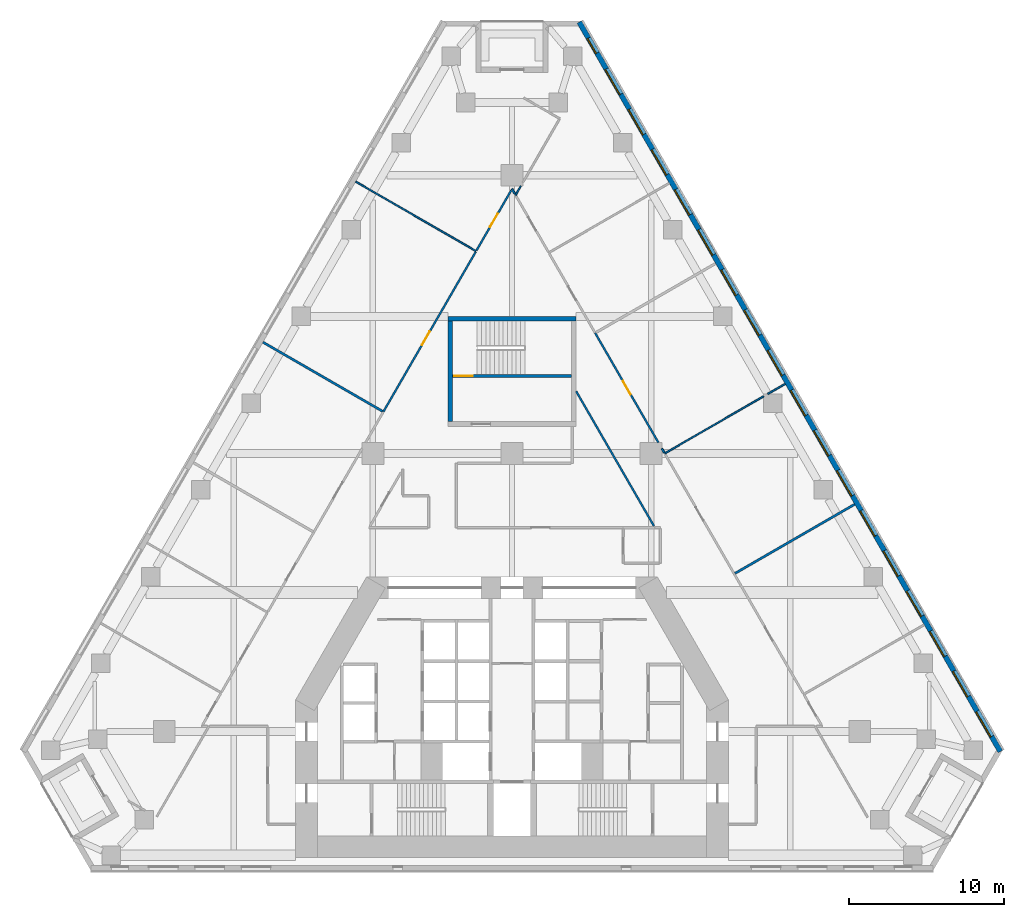
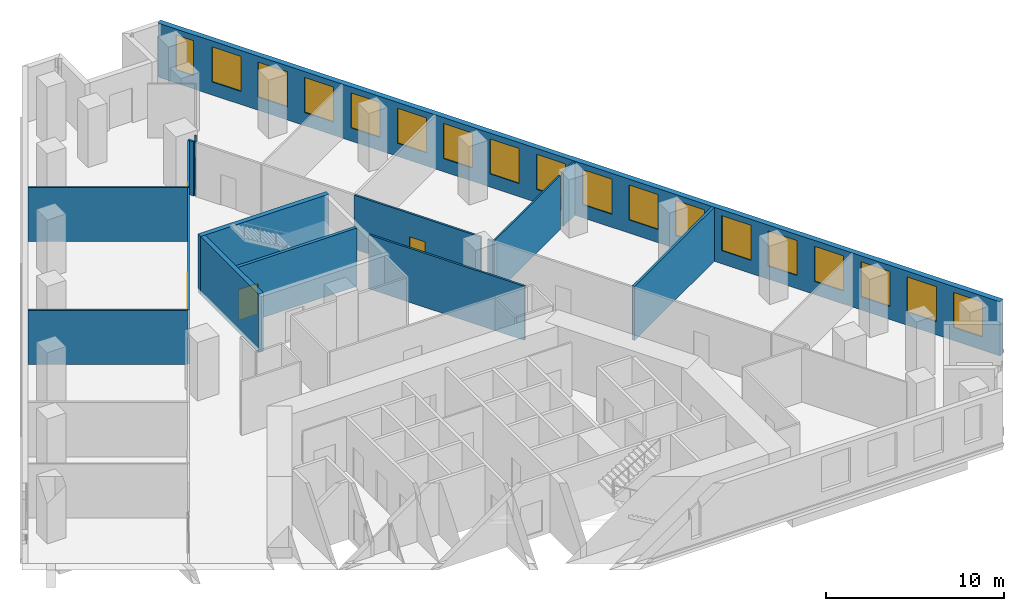
# One storey, part 8 of 11: 18 windows, 16 walls, 4 doors, 22 openings.
"""IFC4 building model written with IfcOpenShell, lengths in metres."""

from ifc_helpers import new_model, si_unit, direction, frame, frame_2d, origin, place, context, subcontext, project, spatial, rectangle, extrude, material, layer, layer_set, type_object, element, fill, save


model = new_model("IFC4")

# Units and contexts
model_context = context("Model", 3, precision=1e-05, world=origin(), true_north=direction((0.0, 1.0)))
body_context = subcontext(model_context, "Body", "Model", "MODEL_VIEW")
ifc_project = project(units=[si_unit("LENGTHUNIT", "METRE"), si_unit("AREAUNIT", "SQUARE_METRE"), si_unit("VOLUMEUNIT", "CUBIC_METRE"), si_unit("PLANEANGLEUNIT", "RADIAN"), si_unit("MASSUNIT", "GRAM", prefix="KILO")], contexts=[model_context])

# Site, building, storey
site_placement = place(None, origin())
site = spatial("IfcSite", under=ifc_project, at=site_placement, CompositionType="ELEMENT")
building_placement = place(site_placement, origin())
building = spatial("IfcBuilding", under=site, at=building_placement, Name="Fogline Exchange Tower", CompositionType="ELEMENT")
storey_placement = place(building_placement, frame((0.0, 0.0, 56.89990234375)))
storey = spatial("IfcBuildingStorey", under=building, at=storey_placement, Name="L11", CompositionType="ELEMENT", Elevation=56.89990234375)

# Wall, opening, door
ifc_material_1 = material(Name="Concrete C40", Category="concrete")
ifc_layer_1 = layer(ifc_material_1, 0.199951171875)
ifc_layer_set_1 = layer_set([ifc_layer_1], Name="CW20R")
wall_type_1 = type_object("IfcWallType", Name="CW20R", PredefinedType="SOLIDWALL", material=ifc_layer_set_1)
wall_1_placement = place(storey_placement, frame((-3.85009765625, 32.007080078125, -0.2998046875), z_axis=(0.0, 0.0, 1.0), x_axis=(1.0, 0.0, 0.0)))
wall_1 = element("IfcWall", 1, at=wall_1_placement, inside=storey, type_object=wall_type_1, Name="Stair enclosure wall ST3", PredefinedType="SOLIDWALL", context=body_context, shape_type="SweptSolid", body=[
    extrude(rectangle(XDim=7.7001953125, YDim=0.199951171875, at=frame_2d((3.85009765625, 0.0))), origin(), (0.0, 0.0, 1.0), 4.0),
])
opening_1_placement = place(wall_1_placement, frame((0.10009765625, 0.0, 0.300048828125)))
opening_1 = element("IfcOpeningElement", 2, at=opening_1_placement, cuts=wall_1, Name="Opening T03-C024", PredefinedType="OPENING", context=body_context, shape_type="SweptSolid", body=[
    extrude(rectangle(XDim=1.199951171875, YDim=2.10009765625, at=frame_2d((0.60009765625, 1.050048828125))), frame((0.0, 0.10986328125, 0.0), z_axis=(0.0, -1.0, 0.0), x_axis=(1.0, 0.0, 0.0)), (0.0, 0.0, 1.0), 0.219970703125),
])
ifc_material_2 = material(Name="Steel and timber fire door", Category="steel")
door_type_1 = type_object("IfcDoorType", Name="D-ST1", OperationType="SINGLE_SWING_LEFT", PredefinedType="DOOR", material=ifc_material_2)
door_1_placement = place(opening_1_placement, origin())
door_1 = element("IfcDoor", 3, at=door_1_placement, inside=storey, type_object=door_type_1, Name="Stair door ST3", OperationType="SINGLE_SWING_LEFT", OverallHeight=2.10009765625, OverallWidth=1.199951171875, PredefinedType="DOOR", context=body_context, shape_type="SweptSolid", body=[
    extrude(rectangle(XDim=1.199951171875, YDim=2.10009765625, at=frame_2d((0.60009765625, 1.050048828125))), frame((0.0, 0.02490234375, 0.0), z_axis=(0.0, -1.0, 0.0), x_axis=(1.0, 0.0, 0.0)), (0.0, 0.0, 1.0), 0.050048828125),
])
fill(opening_1, door_1)

# Walls
ifc_layer_2 = layer(ifc_material_1, 0.300048828125)
ifc_layer_set_2 = layer_set([ifc_layer_2], Name="CW30")
wall_type_2 = type_object("IfcWallType", Name="CW30", PredefinedType="SOLIDWALL", material=ifc_layer_set_2)
wall_2_placement = place(storey_placement, frame((-4.14990234375, 35.70703125, -0.2998046875), z_axis=(0.0, 0.0, 1.0), x_axis=(1.0, 0.0, 0.0)))
element("IfcWall", 4, at=wall_2_placement, inside=storey, type_object=wall_type_2, Name="Stair enclosure wall ST3", PredefinedType="SOLIDWALL", context=body_context, shape_type="SweptSolid", body=[
    extrude(rectangle(XDim=8.2998046875, YDim=0.300048828125, at=frame_2d((4.14990234375, 0.0))), origin(), (0.0, 0.0, 1.0), 4.0),
])
wall_3_placement = place(storey_placement, frame((-4.0, 29.056884765625, -0.2998046875), z_axis=(0.0, 0.0, 1.0), x_axis=(0.0, 1.0, 0.0)))
element("IfcWall", 5, at=wall_3_placement, inside=storey, type_object=wall_type_2, Name="Stair enclosure wall ST3", PredefinedType="SOLIDWALL", context=body_context, shape_type="SweptSolid", body=[
    extrude(rectangle(XDim=6.5, YDim=0.300048828125, at=frame_2d((3.25, 0.0))), origin(), (0.0, 0.0, 1.0), 4.0),
])

# Wall, openings, windows
ifc_material_3 = material(Name="Brick masonry", Category="masonry")
ifc_layer_3 = layer(ifc_material_3, 0.340087890625)
ifc_layer_set_3 = layer_set([ifc_layer_3], Name="FW1")
wall_type_3 = type_object("IfcWallType", Name="FW1", PredefinedType="SOLIDWALL", material=ifc_layer_set_3)
wall_4_placement = place(storey_placement, frame((31.60791015625, 7.709228515625, 0.0), z_axis=(0.0, 0.0, 1.0), x_axis=(-0.499997975305, 0.86602657274, 0.0)))
wall_4 = element("IfcWall", 6, at=wall_4_placement, inside=storey, type_object=wall_type_3, Name="Brick wall L11 E", PredefinedType="SOLIDWALL", context=body_context, shape_type="SweptSolid", body=[
    extrude(rectangle(XDim=54.510498046875, YDim=0.340087890625, at=frame_2d((27.25537109375, 0.0))), origin(), (0.0, 0.0, 1.0), 3.7001953125),
])
opening_2_placement = place(wall_4_placement, frame((1.127685546875, 0.0, 0.89990234375)))
opening_2 = element("IfcOpeningElement", 7, at=opening_2_placement, cuts=wall_4, Name="Opening W1", PredefinedType="OPENING", context=body_context, shape_type="SweptSolid", body=[
    extrude(rectangle(XDim=1.885009765625, YDim=2.39990234375, at=frame_2d((0.9423828125, 1.199951171875))), frame((0.0, 0.18017578125, 0.0), z_axis=(0.0, -1.0, 0.0), x_axis=(1.0, 0.0, 0.0)), (0.0, 0.0, 1.0), 0.360107421875),
])
opening_3_placement = place(wall_4_placement, frame((4.127685546875, 0.0, 0.89990234375)))
opening_3 = element("IfcOpeningElement", 8, at=opening_3_placement, cuts=wall_4, Name="Opening W1", PredefinedType="OPENING", context=body_context, shape_type="SweptSolid", body=[
    extrude(rectangle(XDim=1.885009765625, YDim=2.39990234375, at=frame_2d((0.9423828125, 1.199951171875))), frame((0.0, 0.18017578125, 0.0), z_axis=(0.0, -1.0, 0.0), x_axis=(1.0, 0.0, 0.0)), (0.0, 0.0, 1.0), 0.360107421875),
])
opening_4_placement = place(wall_4_placement, frame((7.127685546875, 0.0, 0.89990234375)))
opening_4 = element("IfcOpeningElement", 9, at=opening_4_placement, cuts=wall_4, Name="Opening W1", PredefinedType="OPENING", context=body_context, shape_type="SweptSolid", body=[
    extrude(rectangle(XDim=1.885009765625, YDim=2.39990234375, at=frame_2d((0.9423828125, 1.199951171875))), frame((0.0, 0.18017578125, 0.0), z_axis=(0.0, -1.0, 0.0), x_axis=(1.0, 0.0, 0.0)), (0.0, 0.0, 1.0), 0.360107421875),
])
opening_5_placement = place(wall_4_placement, frame((10.127685546875, 0.0, 0.89990234375)))
opening_5 = element("IfcOpeningElement", 10, at=opening_5_placement, cuts=wall_4, Name="Opening W1", PredefinedType="OPENING", context=body_context, shape_type="SweptSolid", body=[
    extrude(rectangle(XDim=1.885009765625, YDim=2.39990234375, at=frame_2d((0.9423828125, 1.199951171875))), frame((0.0, 0.18017578125, 0.0), z_axis=(0.0, -1.0, 0.0), x_axis=(1.0, 0.0, 0.0)), (0.0, 0.0, 1.0), 0.360107421875),
])
opening_6_placement = place(wall_4_placement, frame((13.127685546875, 0.0, 0.89990234375)))
opening_6 = element("IfcOpeningElement", 11, at=opening_6_placement, cuts=wall_4, Name="Opening W1", PredefinedType="OPENING", context=body_context, shape_type="SweptSolid", body=[
    extrude(rectangle(XDim=1.885009765625, YDim=2.39990234375, at=frame_2d((0.9423828125, 1.199951171875))), frame((0.0, 0.18017578125, 0.0), z_axis=(0.0, -1.0, 0.0), x_axis=(1.0, 0.0, 0.0)), (0.0, 0.0, 1.0), 0.360107421875),
])
opening_7_placement = place(wall_4_placement, frame((16.127685546875, 0.0, 0.89990234375)))
opening_7 = element("IfcOpeningElement", 12, at=opening_7_placement, cuts=wall_4, Name="Opening W1", PredefinedType="OPENING", context=body_context, shape_type="SweptSolid", body=[
    extrude(rectangle(XDim=1.885009765625, YDim=2.39990234375, at=frame_2d((0.9423828125, 1.199951171875))), frame((0.0, 0.18017578125, 0.0), z_axis=(0.0, -1.0, 0.0), x_axis=(1.0, 0.0, 0.0)), (0.0, 0.0, 1.0), 0.360107421875),
])
opening_8_placement = place(wall_4_placement, frame((19.127685546875, 0.0, 0.89990234375)))
opening_8 = element("IfcOpeningElement", 13, at=opening_8_placement, cuts=wall_4, Name="Opening W1", PredefinedType="OPENING", context=body_context, shape_type="SweptSolid", body=[
    extrude(rectangle(XDim=1.885009765625, YDim=2.39990234375, at=frame_2d((0.9423828125, 1.199951171875))), frame((0.0, 0.18017578125, 0.0), z_axis=(0.0, -1.0, 0.0), x_axis=(1.0, 0.0, 0.0)), (0.0, 0.0, 1.0), 0.360107421875),
])
opening_9_placement = place(wall_4_placement, frame((22.127685546875, 0.0, 0.89990234375)))
opening_9 = element("IfcOpeningElement", 14, at=opening_9_placement, cuts=wall_4, Name="Opening W1", PredefinedType="OPENING", context=body_context, shape_type="SweptSolid", body=[
    extrude(rectangle(XDim=1.885009765625, YDim=2.39990234375, at=frame_2d((0.9423828125, 1.199951171875))), frame((0.0, 0.18017578125, 0.0), z_axis=(0.0, -1.0, 0.0), x_axis=(1.0, 0.0, 0.0)), (0.0, 0.0, 1.0), 0.360107421875),
])
opening_10_placement = place(wall_4_placement, frame((25.127685546875, 0.0, 0.89990234375)))
opening_10 = element("IfcOpeningElement", 15, at=opening_10_placement, cuts=wall_4, Name="Opening W1", PredefinedType="OPENING", context=body_context, shape_type="SweptSolid", body=[
    extrude(rectangle(XDim=1.885009765625, YDim=2.39990234375, at=frame_2d((0.9423828125, 1.199951171875))), frame((0.0, 0.18017578125, 0.0), z_axis=(0.0, -1.0, 0.0), x_axis=(1.0, 0.0, 0.0)), (0.0, 0.0, 1.0), 0.360107421875),
])
opening_11_placement = place(wall_4_placement, frame((28.127685546875, 0.0, 0.89990234375)))
opening_11 = element("IfcOpeningElement", 16, at=opening_11_placement, cuts=wall_4, Name="Opening W1", PredefinedType="OPENING", context=body_context, shape_type="SweptSolid", body=[
    extrude(rectangle(XDim=1.885009765625, YDim=2.39990234375, at=frame_2d((0.9423828125, 1.199951171875))), frame((0.0, 0.18017578125, 0.0), z_axis=(0.0, -1.0, 0.0), x_axis=(1.0, 0.0, 0.0)), (0.0, 0.0, 1.0), 0.360107421875),
])
opening_12_placement = place(wall_4_placement, frame((31.127685546875, 0.0, 0.89990234375)))
opening_12 = element("IfcOpeningElement", 17, at=opening_12_placement, cuts=wall_4, Name="Opening W1", PredefinedType="OPENING", context=body_context, shape_type="SweptSolid", body=[
    extrude(rectangle(XDim=1.885009765625, YDim=2.39990234375, at=frame_2d((0.9423828125, 1.199951171875))), frame((0.0, 0.18017578125, 0.0), z_axis=(0.0, -1.0, 0.0), x_axis=(1.0, 0.0, 0.0)), (0.0, 0.0, 1.0), 0.360107421875),
])
opening_13_placement = place(wall_4_placement, frame((34.127685546875, 0.0, 0.89990234375)))
opening_13 = element("IfcOpeningElement", 18, at=opening_13_placement, cuts=wall_4, Name="Opening W1", PredefinedType="OPENING", context=body_context, shape_type="SweptSolid", body=[
    extrude(rectangle(XDim=1.885009765625, YDim=2.39990234375, at=frame_2d((0.9423828125, 1.199951171875))), frame((0.0, 0.18017578125, 0.0), z_axis=(0.0, -1.0, 0.0), x_axis=(1.0, 0.0, 0.0)), (0.0, 0.0, 1.0), 0.360107421875),
])
opening_14_placement = place(wall_4_placement, frame((37.127685546875, 0.0, 0.89990234375)))
opening_14 = element("IfcOpeningElement", 19, at=opening_14_placement, cuts=wall_4, Name="Opening W1", PredefinedType="OPENING", context=body_context, shape_type="SweptSolid", body=[
    extrude(rectangle(XDim=1.885009765625, YDim=2.39990234375, at=frame_2d((0.9423828125, 1.199951171875))), frame((0.0, 0.18017578125, 0.0), z_axis=(0.0, -1.0, 0.0), x_axis=(1.0, 0.0, 0.0)), (0.0, 0.0, 1.0), 0.360107421875),
])
opening_15_placement = place(wall_4_placement, frame((40.127685546875, 0.0, 0.89990234375)))
opening_15 = element("IfcOpeningElement", 20, at=opening_15_placement, cuts=wall_4, Name="Opening W1", PredefinedType="OPENING", context=body_context, shape_type="SweptSolid", body=[
    extrude(rectangle(XDim=1.885009765625, YDim=2.39990234375, at=frame_2d((0.9423828125, 1.199951171875))), frame((0.0, 0.18017578125, 0.0), z_axis=(0.0, -1.0, 0.0), x_axis=(1.0, 0.0, 0.0)), (0.0, 0.0, 1.0), 0.360107421875),
])
opening_16_placement = place(wall_4_placement, frame((43.127685546875, 0.0, 0.89990234375)))
opening_16 = element("IfcOpeningElement", 21, at=opening_16_placement, cuts=wall_4, Name="Opening W1", PredefinedType="OPENING", context=body_context, shape_type="SweptSolid", body=[
    extrude(rectangle(XDim=1.885009765625, YDim=2.39990234375, at=frame_2d((0.9423828125, 1.199951171875))), frame((0.0, 0.18017578125, 0.0), z_axis=(0.0, -1.0, 0.0), x_axis=(1.0, 0.0, 0.0)), (0.0, 0.0, 1.0), 0.360107421875),
])
opening_17_placement = place(wall_4_placement, frame((46.127685546875, 0.0, 0.89990234375)))
opening_17 = element("IfcOpeningElement", 22, at=opening_17_placement, cuts=wall_4, Name="Opening W1", PredefinedType="OPENING", context=body_context, shape_type="SweptSolid", body=[
    extrude(rectangle(XDim=1.885009765625, YDim=2.39990234375, at=frame_2d((0.9423828125, 1.199951171875))), frame((0.0, 0.18017578125, 0.0), z_axis=(0.0, -1.0, 0.0), x_axis=(1.0, 0.0, 0.0)), (0.0, 0.0, 1.0), 0.360107421875),
])
opening_18_placement = place(wall_4_placement, frame((49.127685546875, 0.0, 0.89990234375)))
opening_18 = element("IfcOpeningElement", 23, at=opening_18_placement, cuts=wall_4, Name="Opening W1", PredefinedType="OPENING", context=body_context, shape_type="SweptSolid", body=[
    extrude(rectangle(XDim=1.885009765625, YDim=2.39990234375, at=frame_2d((0.9423828125, 1.199951171875))), frame((0.0, 0.18017578125, 0.0), z_axis=(0.0, -1.0, 0.0), x_axis=(1.0, 0.0, 0.0)), (0.0, 0.0, 1.0), 0.360107421875),
])
opening_19_placement = place(wall_4_placement, frame((52.2041015625, 0.0, 0.89990234375)))
opening_19 = element("IfcOpeningElement", 24, at=opening_19_placement, cuts=wall_4, Name="Opening W4", PredefinedType="OPENING", context=body_context, shape_type="SweptSolid", body=[
    extrude(rectangle(XDim=1.114990234375, YDim=2.39990234375, at=frame_2d((0.5576171875, 1.199951171875))), frame((0.0, 0.18017578125, 0.0), z_axis=(0.0, -1.0, 0.0), x_axis=(1.0, 0.0, 0.0)), (0.0, 0.0, 1.0), 0.360107421875),
])
ifc_material_4 = material(Name="Aluminium and glass", Category="aluminium")
window_type_1 = type_object("IfcWindowType", Name="W1", PartitioningType="SINGLE_PANEL", PredefinedType="WINDOW", material=ifc_material_4)
window_1_placement = place(opening_2_placement, origin())
window_1 = element("IfcWindow", 25, at=window_1_placement, inside=storey, type_object=window_type_1, Name="W1 W1", OverallHeight=2.39990234375, OverallWidth=1.885009765625, PartitioningType="SINGLE_PANEL", PredefinedType="WINDOW", context=body_context, shape_type="SweptSolid", body=[
    extrude(rectangle(XDim=1.885009765625, YDim=2.39990234375, at=frame_2d((0.9423828125, 1.199951171875))), frame((0.0, 0.110107421875, 0.0), z_axis=(0.0, -1.0, 0.0), x_axis=(1.0, 0.0, 0.0)), (0.0, 0.0, 1.0), 0.06005859375),
])
fill(opening_2, window_1)
window_2_placement = place(opening_3_placement, origin())
window_2 = element("IfcWindow", 26, at=window_2_placement, inside=storey, type_object=window_type_1, Name="W1 W1", OverallHeight=2.39990234375, OverallWidth=1.885009765625, PartitioningType="SINGLE_PANEL", PredefinedType="WINDOW", context=body_context, shape_type="SweptSolid", body=[
    extrude(rectangle(XDim=1.885009765625, YDim=2.39990234375, at=frame_2d((0.9423828125, 1.199951171875))), frame((0.0, 0.110107421875, 0.0), z_axis=(0.0, -1.0, 0.0), x_axis=(1.0, 0.0, 0.0)), (0.0, 0.0, 1.0), 0.06005859375),
])
fill(opening_3, window_2)
window_3_placement = place(opening_4_placement, origin())
window_3 = element("IfcWindow", 27, at=window_3_placement, inside=storey, type_object=window_type_1, Name="W1 W1", OverallHeight=2.39990234375, OverallWidth=1.885009765625, PartitioningType="SINGLE_PANEL", PredefinedType="WINDOW", context=body_context, shape_type="SweptSolid", body=[
    extrude(rectangle(XDim=1.885009765625, YDim=2.39990234375, at=frame_2d((0.9423828125, 1.199951171875))), frame((0.0, 0.110107421875, 0.0), z_axis=(0.0, -1.0, 0.0), x_axis=(1.0, 0.0, 0.0)), (0.0, 0.0, 1.0), 0.06005859375),
])
fill(opening_4, window_3)
window_4_placement = place(opening_5_placement, origin())
window_4 = element("IfcWindow", 28, at=window_4_placement, inside=storey, type_object=window_type_1, Name="W1 W1", OverallHeight=2.39990234375, OverallWidth=1.885009765625, PartitioningType="SINGLE_PANEL", PredefinedType="WINDOW", context=body_context, shape_type="SweptSolid", body=[
    extrude(rectangle(XDim=1.885009765625, YDim=2.39990234375, at=frame_2d((0.9423828125, 1.199951171875))), frame((0.0, 0.110107421875, 0.0), z_axis=(0.0, -1.0, 0.0), x_axis=(1.0, 0.0, 0.0)), (0.0, 0.0, 1.0), 0.06005859375),
])
fill(opening_5, window_4)
window_5_placement = place(opening_6_placement, origin())
window_5 = element("IfcWindow", 29, at=window_5_placement, inside=storey, type_object=window_type_1, Name="W1 W1", OverallHeight=2.39990234375, OverallWidth=1.885009765625, PartitioningType="SINGLE_PANEL", PredefinedType="WINDOW", context=body_context, shape_type="SweptSolid", body=[
    extrude(rectangle(XDim=1.885009765625, YDim=2.39990234375, at=frame_2d((0.9423828125, 1.199951171875))), frame((0.0, 0.110107421875, 0.0), z_axis=(0.0, -1.0, 0.0), x_axis=(1.0, 0.0, 0.0)), (0.0, 0.0, 1.0), 0.06005859375),
])
fill(opening_6, window_5)
window_6_placement = place(opening_7_placement, origin())
window_6 = element("IfcWindow", 30, at=window_6_placement, inside=storey, type_object=window_type_1, Name="W1 W1", OverallHeight=2.39990234375, OverallWidth=1.885009765625, PartitioningType="SINGLE_PANEL", PredefinedType="WINDOW", context=body_context, shape_type="SweptSolid", body=[
    extrude(rectangle(XDim=1.885009765625, YDim=2.39990234375, at=frame_2d((0.9423828125, 1.199951171875))), frame((0.0, 0.110107421875, 0.0), z_axis=(0.0, -1.0, 0.0), x_axis=(1.0, 0.0, 0.0)), (0.0, 0.0, 1.0), 0.06005859375),
])
fill(opening_7, window_6)
window_7_placement = place(opening_8_placement, origin())
window_7 = element("IfcWindow", 31, at=window_7_placement, inside=storey, type_object=window_type_1, Name="W1 W1", OverallHeight=2.39990234375, OverallWidth=1.885009765625, PartitioningType="SINGLE_PANEL", PredefinedType="WINDOW", context=body_context, shape_type="SweptSolid", body=[
    extrude(rectangle(XDim=1.885009765625, YDim=2.39990234375, at=frame_2d((0.9423828125, 1.199951171875))), frame((0.0, 0.110107421875, 0.0), z_axis=(0.0, -1.0, 0.0), x_axis=(1.0, 0.0, 0.0)), (0.0, 0.0, 1.0), 0.06005859375),
])
fill(opening_8, window_7)
window_8_placement = place(opening_9_placement, origin())
window_8 = element("IfcWindow", 32, at=window_8_placement, inside=storey, type_object=window_type_1, Name="W1 W1", OverallHeight=2.39990234375, OverallWidth=1.885009765625, PartitioningType="SINGLE_PANEL", PredefinedType="WINDOW", context=body_context, shape_type="SweptSolid", body=[
    extrude(rectangle(XDim=1.885009765625, YDim=2.39990234375, at=frame_2d((0.9423828125, 1.199951171875))), frame((0.0, 0.110107421875, 0.0), z_axis=(0.0, -1.0, 0.0), x_axis=(1.0, 0.0, 0.0)), (0.0, 0.0, 1.0), 0.06005859375),
])
fill(opening_9, window_8)
window_9_placement = place(opening_10_placement, origin())
window_9 = element("IfcWindow", 33, at=window_9_placement, inside=storey, type_object=window_type_1, Name="W1 W1", OverallHeight=2.39990234375, OverallWidth=1.885009765625, PartitioningType="SINGLE_PANEL", PredefinedType="WINDOW", context=body_context, shape_type="SweptSolid", body=[
    extrude(rectangle(XDim=1.885009765625, YDim=2.39990234375, at=frame_2d((0.9423828125, 1.199951171875))), frame((0.0, 0.110107421875, 0.0), z_axis=(0.0, -1.0, 0.0), x_axis=(1.0, 0.0, 0.0)), (0.0, 0.0, 1.0), 0.06005859375),
])
fill(opening_10, window_9)
window_10_placement = place(opening_11_placement, origin())
window_10 = element("IfcWindow", 34, at=window_10_placement, inside=storey, type_object=window_type_1, Name="W1 W1", OverallHeight=2.39990234375, OverallWidth=1.885009765625, PartitioningType="SINGLE_PANEL", PredefinedType="WINDOW", context=body_context, shape_type="SweptSolid", body=[
    extrude(rectangle(XDim=1.885009765625, YDim=2.39990234375, at=frame_2d((0.9423828125, 1.199951171875))), frame((0.0, 0.110107421875, 0.0), z_axis=(0.0, -1.0, 0.0), x_axis=(1.0, 0.0, 0.0)), (0.0, 0.0, 1.0), 0.06005859375),
])
fill(opening_11, window_10)
window_11_placement = place(opening_12_placement, origin())
window_11 = element("IfcWindow", 35, at=window_11_placement, inside=storey, type_object=window_type_1, Name="W1 W1", OverallHeight=2.39990234375, OverallWidth=1.885009765625, PartitioningType="SINGLE_PANEL", PredefinedType="WINDOW", context=body_context, shape_type="SweptSolid", body=[
    extrude(rectangle(XDim=1.885009765625, YDim=2.39990234375, at=frame_2d((0.9423828125, 1.199951171875))), frame((0.0, 0.110107421875, 0.0), z_axis=(0.0, -1.0, 0.0), x_axis=(1.0, 0.0, 0.0)), (0.0, 0.0, 1.0), 0.06005859375),
])
fill(opening_12, window_11)
window_12_placement = place(opening_13_placement, origin())
window_12 = element("IfcWindow", 36, at=window_12_placement, inside=storey, type_object=window_type_1, Name="W1 W1", OverallHeight=2.39990234375, OverallWidth=1.885009765625, PartitioningType="SINGLE_PANEL", PredefinedType="WINDOW", context=body_context, shape_type="SweptSolid", body=[
    extrude(rectangle(XDim=1.885009765625, YDim=2.39990234375, at=frame_2d((0.9423828125, 1.199951171875))), frame((0.0, 0.110107421875, 0.0), z_axis=(0.0, -1.0, 0.0), x_axis=(1.0, 0.0, 0.0)), (0.0, 0.0, 1.0), 0.06005859375),
])
fill(opening_13, window_12)
window_13_placement = place(opening_14_placement, origin())
window_13 = element("IfcWindow", 37, at=window_13_placement, inside=storey, type_object=window_type_1, Name="W1 W1", OverallHeight=2.39990234375, OverallWidth=1.885009765625, PartitioningType="SINGLE_PANEL", PredefinedType="WINDOW", context=body_context, shape_type="SweptSolid", body=[
    extrude(rectangle(XDim=1.885009765625, YDim=2.39990234375, at=frame_2d((0.9423828125, 1.199951171875))), frame((0.0, 0.110107421875, 0.0), z_axis=(0.0, -1.0, 0.0), x_axis=(1.0, 0.0, 0.0)), (0.0, 0.0, 1.0), 0.06005859375),
])
fill(opening_14, window_13)
window_14_placement = place(opening_15_placement, origin())
window_14 = element("IfcWindow", 38, at=window_14_placement, inside=storey, type_object=window_type_1, Name="W1 W1", OverallHeight=2.39990234375, OverallWidth=1.885009765625, PartitioningType="SINGLE_PANEL", PredefinedType="WINDOW", context=body_context, shape_type="SweptSolid", body=[
    extrude(rectangle(XDim=1.885009765625, YDim=2.39990234375, at=frame_2d((0.9423828125, 1.199951171875))), frame((0.0, 0.110107421875, 0.0), z_axis=(0.0, -1.0, 0.0), x_axis=(1.0, 0.0, 0.0)), (0.0, 0.0, 1.0), 0.06005859375),
])
fill(opening_15, window_14)
window_15_placement = place(opening_16_placement, origin())
window_15 = element("IfcWindow", 39, at=window_15_placement, inside=storey, type_object=window_type_1, Name="W1 W1", OverallHeight=2.39990234375, OverallWidth=1.885009765625, PartitioningType="SINGLE_PANEL", PredefinedType="WINDOW", context=body_context, shape_type="SweptSolid", body=[
    extrude(rectangle(XDim=1.885009765625, YDim=2.39990234375, at=frame_2d((0.9423828125, 1.199951171875))), frame((0.0, 0.110107421875, 0.0), z_axis=(0.0, -1.0, 0.0), x_axis=(1.0, 0.0, 0.0)), (0.0, 0.0, 1.0), 0.06005859375),
])
fill(opening_16, window_15)
window_16_placement = place(opening_17_placement, origin())
window_16 = element("IfcWindow", 40, at=window_16_placement, inside=storey, type_object=window_type_1, Name="W1 W1", OverallHeight=2.39990234375, OverallWidth=1.885009765625, PartitioningType="SINGLE_PANEL", PredefinedType="WINDOW", context=body_context, shape_type="SweptSolid", body=[
    extrude(rectangle(XDim=1.885009765625, YDim=2.39990234375, at=frame_2d((0.9423828125, 1.199951171875))), frame((0.0, 0.110107421875, 0.0), z_axis=(0.0, -1.0, 0.0), x_axis=(1.0, 0.0, 0.0)), (0.0, 0.0, 1.0), 0.06005859375),
])
fill(opening_17, window_16)
window_17_placement = place(opening_18_placement, origin())
window_17 = element("IfcWindow", 41, at=window_17_placement, inside=storey, type_object=window_type_1, Name="W1 W1", OverallHeight=2.39990234375, OverallWidth=1.885009765625, PartitioningType="SINGLE_PANEL", PredefinedType="WINDOW", context=body_context, shape_type="SweptSolid", body=[
    extrude(rectangle(XDim=1.885009765625, YDim=2.39990234375, at=frame_2d((0.9423828125, 1.199951171875))), frame((0.0, 0.110107421875, 0.0), z_axis=(0.0, -1.0, 0.0), x_axis=(1.0, 0.0, 0.0)), (0.0, 0.0, 1.0), 0.06005859375),
])
fill(opening_18, window_17)
window_type_2 = type_object("IfcWindowType", Name="W4", PartitioningType="SINGLE_PANEL", PredefinedType="WINDOW", material=ifc_material_4)
window_18_placement = place(opening_19_placement, origin())
window_18 = element("IfcWindow", 42, at=window_18_placement, inside=storey, type_object=window_type_2, Name="W4 W4", OverallHeight=2.39990234375, OverallWidth=1.114990234375, PartitioningType="SINGLE_PANEL", PredefinedType="WINDOW", context=body_context, shape_type="SweptSolid", body=[
    extrude(rectangle(XDim=1.114990234375, YDim=2.39990234375, at=frame_2d((0.5576171875, 1.199951171875))), frame((0.0, 0.110107421875, 0.0), z_axis=(0.0, -1.0, 0.0), x_axis=(1.0, 0.0, 0.0)), (0.0, 0.0, 1.0), 0.06005859375),
])
fill(opening_19, window_18)

# Walls
ifc_material_5 = material(Name="Plasterboard partition, 2 layers each side on steel studs", Category="steel")
ifc_layer_4 = layer(ifc_material_5, 0.10009765625)
ifc_layer_set_4 = layer_set([ifc_layer_4], Name="PW1")
wall_type_4 = type_object("IfcWallType", Name="PW1", PredefinedType="PARTITIONING", material=ifc_layer_set_4)
wall_5_placement = place(storey_placement, frame((9.881591796875, 27.00048828125, 0.0), z_axis=(0.0, 0.0, 1.0), x_axis=(0.86601304703, 0.500021401916, 0.0)))
element("IfcWall", 43, at=wall_5_placement, inside=storey, type_object=wall_type_4, Name="wall-L11-W040", PredefinedType="PARTITIONING", context=body_context, shape_type="SweptSolid", body=[
    extrude(rectangle(XDim=7.399169921875, YDim=0.10009765625, at=frame_2d((3.69970703125, 0.0))), origin(), (0.0, 0.0, 1.0), 3.7001953125),
])
wall_6_placement = place(storey_placement, frame((16.553955078125, 30.852783203125, 0.0), z_axis=(0.0, 0.0, 1.0), x_axis=(0.866019241107, 0.500010673919, 0.0)))
element("IfcWall", 44, at=wall_6_placement, inside=storey, type_object=wall_type_4, Name="wall-L11-W041", PredefinedType="PARTITIONING", context=body_context, shape_type="SweptSolid", body=[
    extrude(rectangle(XDim=1.29541015625, YDim=0.10009765625, at=frame_2d((0.647705078125, 0.0))), origin(), (0.0, 0.0, 1.0), 3.7001953125),
])
wall_7_placement = place(storey_placement, frame((0.23095703125, 43.7158203125, 0.0), z_axis=(0.0, 0.0, 1.0), x_axis=(0.499837337514, 0.866119296648, 0.0)))
element("IfcWall", 45, at=wall_7_placement, inside=storey, type_object=wall_type_4, Name="wall-L11-W045", PredefinedType="PARTITIONING", context=body_context, shape_type="SweptSolid", body=[
    extrude(rectangle(XDim=0.674560546875, YDim=0.10009765625, at=frame_2d((0.33740234375, 0.0))), origin(), (0.0, 0.0, 1.0), 3.7001953125),
])
wall_8_placement = place(storey_placement, frame((-2.323974609375, 40.090576171875, 0.0), z_axis=(0.0, 0.0, 1.0), x_axis=(-0.866024315419, 0.5000018851, 0.0)))
element("IfcWall", 46, at=wall_8_placement, inside=storey, type_object=wall_type_4, Name="wall-L11-W048", PredefinedType="PARTITIONING", context=body_context, shape_type="SweptSolid", body=[
    extrude(rectangle(XDim=9.0, YDim=0.10009765625, at=frame_2d((4.5, 0.0))), origin(), (0.0, 0.0, 1.0), 3.7001953125),
])

# Wall, opening, door
ifc_material_6 = material(Name="Plasterboard corridor partition with mineral wool, 2 layers each side")
ifc_layer_5 = layer(ifc_material_6, 0.125)
ifc_layer_set_5 = layer_set([ifc_layer_5], Name="PW2")
wall_type_5 = type_object("IfcWallType", Name="PW2", PredefinedType="PARTITIONING", material=ifc_layer_set_5)
wall_9_placement = place(storey_placement, frame((5.381591796875, 34.794921875, 0.0), z_axis=(0.0, 0.0, 1.0), x_axis=(0.499991592391, -0.866030257865, 0.0)))
wall_9 = element("IfcWall", 47, at=wall_9_placement, inside=storey, type_object=wall_type_5, Name="wall-L11-W012", PredefinedType="PARTITIONING", context=body_context, shape_type="SweptSolid", body=[
    extrude(rectangle(XDim=8.192626953125, YDim=0.125, at=frame_2d((4.09619140625, 0.0))), origin(), (0.0, 0.0, 1.0), 3.7001953125),
])
opening_20_placement = place(wall_9_placement, frame((3.59619140625, 0.0, 0.0)))
opening_20 = element("IfcOpeningElement", 48, at=opening_20_placement, cuts=wall_9, Name="Opening T03-D006", PredefinedType="OPENING", context=body_context, shape_type="SweptSolid", body=[
    extrude(rectangle(XDim=1.0, YDim=2.10009765625, at=frame_2d((0.5, 1.050048828125))), frame((0.0, 0.072509765625, 0.0), z_axis=(0.0, -1.0, 0.0), x_axis=(1.0, 0.0, 0.0)), (0.0, 0.0, 1.0), 0.14501953125),
])
ifc_material_7 = material(Name="Fire-rated timber door leaf with steel frame", Category="steel")
door_type_2 = type_object("IfcDoorType", Name="D3", OperationType="SINGLE_SWING_LEFT", PredefinedType="DOOR", material=ifc_material_7)
door_2_placement = place(opening_20_placement, origin())
door_2 = element("IfcDoor", 49, at=door_2_placement, inside=storey, type_object=door_type_2, Name="door-L11-D006", OperationType="SINGLE_SWING_LEFT", OverallHeight=2.10009765625, OverallWidth=1.0, PredefinedType="DOOR", context=body_context, shape_type="SweptSolid", body=[
    extrude(rectangle(XDim=1.0, YDim=2.10009765625, at=frame_2d((0.5, 1.050048828125))), frame((0.0, 0.02490234375, 0.0), z_axis=(0.0, -1.0, 0.0), x_axis=(1.0, 0.0, 0.0)), (0.0, 0.0, 1.0), 0.050048828125),
])
fill(opening_20, door_2)

# Walls
wall_10_placement = place(storey_placement, frame((9.699951171875, 27.31494140625, 0.0), z_axis=(0.0, 0.0, 1.0), x_axis=(0.499835134068, -0.866120568253, 0.0)))
element("IfcWall", 50, at=wall_10_placement, inside=storey, type_object=wall_type_5, Name="wall-L11-W013", PredefinedType="PARTITIONING", context=body_context, shape_type="SweptSolid", body=[
    extrude(rectangle(XDim=0.3125, YDim=0.125, at=frame_2d((0.15625, 0.0))), origin(), (0.0, 0.0, 1.0), 3.7001953125),
])
wall_11_placement = place(storey_placement, frame((9.185302734375, 22.306640625, 0.0), z_axis=(0.0, 0.0, 1.0), x_axis=(-0.50001624924, 0.866016022078, 0.0)))
element("IfcWall", 51, at=wall_11_placement, inside=storey, type_object=wall_type_5, Name="wall-L11-W014", PredefinedType="PARTITIONING", context=body_context, shape_type="SweptSolid", body=[
    extrude(rectangle(XDim=10.070556640625, YDim=0.125, at=frame_2d((5.03515625, 0.0))), origin(), (0.0, 0.0, 1.0), 3.7001953125),
])

# Wall, opening, door
wall_12_placement = place(storey_placement, frame((-2.298828125, 40.13427734375, 0.0), z_axis=(0.0, 0.0, 1.0), x_axis=(0.49999394914, 0.866028897222, 0.0)))
wall_12 = element("IfcWall", 52, at=wall_12_placement, inside=storey, type_object=wall_type_5, Name="wall-L11-W017", PredefinedType="PARTITIONING", context=body_context, shape_type="SweptSolid", body=[
    extrude(rectangle(XDim=4.48876953125, YDim=0.125, at=frame_2d((2.244384765625, 0.0))), origin(), (0.0, 0.0, 1.0), 3.7001953125),
])
opening_21_placement = place(wall_12_placement, frame((1.744384765625, 0.0, 0.0)))
opening_21 = element("IfcOpeningElement", 53, at=opening_21_placement, cuts=wall_12, Name="Opening T03-D009", PredefinedType="OPENING", context=body_context, shape_type="SweptSolid", body=[
    extrude(rectangle(XDim=1.0, YDim=2.10009765625, at=frame_2d((0.5, 1.050048828125))), frame((0.0, 0.072509765625, 0.0), z_axis=(0.0, -1.0, 0.0), x_axis=(1.0, 0.0, 0.0)), (0.0, 0.0, 1.0), 0.14501953125),
])
door_3_placement = place(opening_21_placement, origin())
door_3 = element("IfcDoor", 54, at=door_3_placement, inside=storey, type_object=door_type_2, Name="door-L11-D009", OperationType="SINGLE_SWING_RIGHT", OverallHeight=2.10009765625, OverallWidth=1.0, PredefinedType="DOOR", context=body_context, shape_type="SweptSolid", body=[
    extrude(rectangle(XDim=1.0, YDim=2.10009765625, at=frame_2d((0.5, 1.050048828125))), frame((0.0, 0.02490234375, 0.0), z_axis=(0.0, -1.0, 0.0), x_axis=(1.0, 0.0, 0.0)), (0.0, 0.0, 1.0), 0.050048828125),
])
fill(opening_21, door_3)

# Wall
wall_13_placement = place(storey_placement, frame((0.0, 44.115966796875, 0.0), z_axis=(0.0, 0.0, 1.0), x_axis=(0.50006736263, -0.865986508459, 0.0)))
element("IfcWall", 55, at=wall_13_placement, inside=storey, type_object=wall_type_5, Name="wall-L11-W018", PredefinedType="PARTITIONING", context=body_context, shape_type="SweptSolid", body=[
    extrude(rectangle(XDim=0.36767578125, YDim=0.125, at=frame_2d((0.183837890625, 0.0))), origin(), (0.0, 0.0, 1.0), 3.7001953125),
])

# Wall, opening, door
wall_14_placement = place(storey_placement, frame((-8.323974609375, 29.6982421875, 0.0), z_axis=(0.0, 0.0, 1.0), x_axis=(0.500004241279, 0.866022955067, 0.0)))
wall_14 = element("IfcWall", 56, at=wall_14_placement, inside=storey, type_object=wall_type_5, Name="wall-L11-W019", PredefinedType="PARTITIONING", context=body_context, shape_type="SweptSolid", body=[
    extrude(rectangle(XDim=11.94970703125, YDim=0.125, at=frame_2d((5.974853515625, 0.0))), origin(), (0.0, 0.0, 1.0), 3.7001953125),
])
opening_22_placement = place(wall_14_placement, frame((4.999755859375, 0.0, 0.0)))
opening_22 = element("IfcOpeningElement", 57, at=opening_22_placement, cuts=wall_14, Name="Opening T03-D010", PredefinedType="OPENING", context=body_context, shape_type="SweptSolid", body=[
    extrude(rectangle(XDim=1.0, YDim=2.10009765625, at=frame_2d((0.5, 1.050048828125))), frame((0.0, 0.072509765625, 0.0), z_axis=(0.0, -1.0, 0.0), x_axis=(1.0, 0.0, 0.0)), (0.0, 0.0, 1.0), 0.14501953125),
])
door_4_placement = place(opening_22_placement, origin())
door_4 = element("IfcDoor", 58, at=door_4_placement, inside=storey, type_object=door_type_2, Name="door-L11-D010", OperationType="SINGLE_SWING_LEFT", OverallHeight=2.10009765625, OverallWidth=1.0, PredefinedType="DOOR", context=body_context, shape_type="SweptSolid", body=[
    extrude(rectangle(XDim=1.0, YDim=2.10009765625, at=frame_2d((0.5, 1.050048828125))), frame((0.0, 0.02490234375, 0.0), z_axis=(0.0, -1.0, 0.0), x_axis=(1.0, 0.0, 0.0)), (0.0, 0.0, 1.0), 0.050048828125),
])
fill(opening_22, door_4)

# Walls
ifc_material_8 = material(Name="Plasterboard demising partition with mineral wool and acoustic board")
ifc_layer_6 = layer(ifc_material_8, 0.14990234375)
ifc_layer_set_6 = layer_set([ifc_layer_6], Name="PW3")
wall_type_6 = type_object("IfcWallType", Name="PW3", PredefinedType="PARTITIONING", material=ifc_layer_set_6)
for number, where, z_axis, x_axis, name in (
    (59, (22.17578125, 23.706298828125, 0.0), (0.0, 0.0, 1.0), (-0.866040933244, -0.499973101223, 0.0), "wall-L11-W042"),
    (60, (-8.378173828125, 29.7294921875, 0.0), (0.0, 0.0, 1.0), (-0.866022276127, 0.500005417223, 0.0), "wall-L11-W049"),
):
    element("IfcWall", number, at=place(storey_placement, frame(where, z_axis=z_axis, x_axis=x_axis)), inside=storey, type_object=wall_type_6, Name=name, PredefinedType="PARTITIONING", context=body_context, shape_type="SweptSolid", body=[
        extrude(rectangle(XDim=8.9375, YDim=0.14990234375, at=frame_2d((4.46875, 0.0))), origin(), (0.0, 0.0, 1.0), 3.7001953125),
    ])

save(model, "model.ifc")
